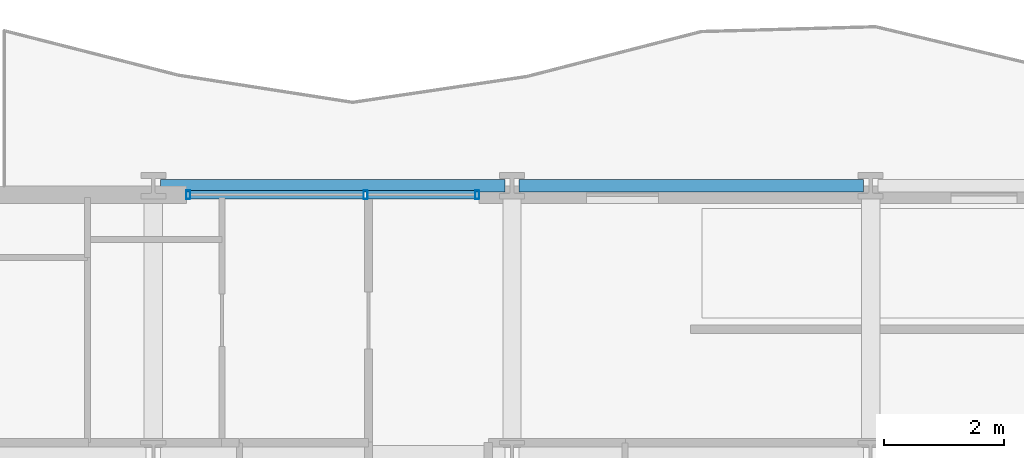
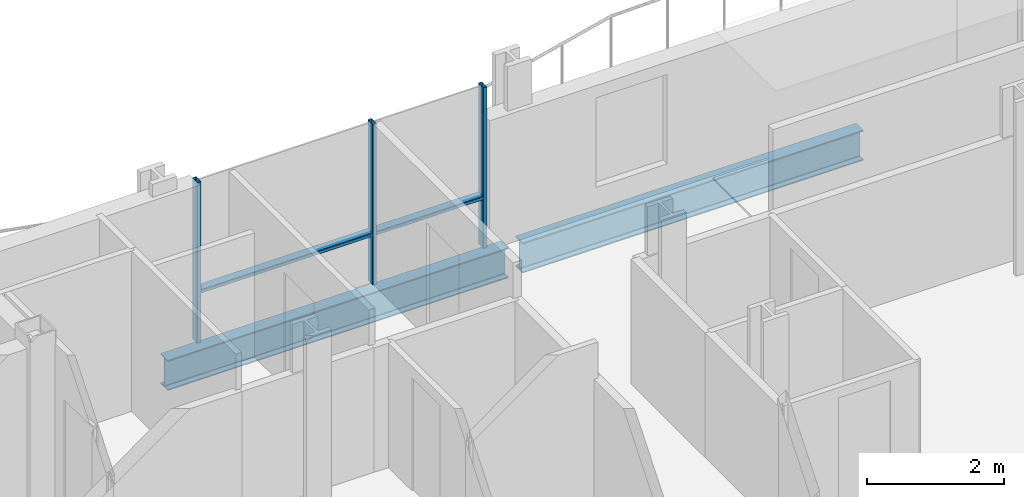
# One storey, part 21 of 41: 5 members, 2 beams, 1 element without a shape of its own.
"""IFC4 building model written with IfcOpenShell, lengths in metres."""

from ifc_helpers import new_model, si_unit, direction, frame, origin, origin_2d, place, context, subcontext, project, spatial, hollow_rectangle, i_section, extrude, material, layer, layer_set, material_profile, profile_set, type_object, element, aggregate, save


model = new_model("IFC4")

# Units and contexts
model_context = context("Model", 3, precision=1e-05, world=origin(), true_north=direction((0.0, 1.0)))
body_context = subcontext(model_context, "Body", "Model", "MODEL_VIEW")
ifc_project = project(units=[si_unit("LENGTHUNIT", "METRE"), si_unit("AREAUNIT", "SQUARE_METRE"), si_unit("VOLUMEUNIT", "CUBIC_METRE"), si_unit("PLANEANGLEUNIT", "RADIAN"), si_unit("MASSUNIT", "GRAM", prefix="KILO")], contexts=[model_context])

# Site, building, storey
site_placement = place(None, origin())
site = spatial("IfcSite", under=ifc_project, at=site_placement, CompositionType="ELEMENT")
building_placement = place(site_placement, origin())
building = spatial("IfcBuilding", under=site, at=building_placement, Name="Brevholm Reach", CompositionType="ELEMENT")
storey_placement = place(building_placement, frame((0.0, 0.0, 55.89990234375)))
storey = spatial("IfcBuildingStorey", under=building, at=storey_placement, Name="L15", CompositionType="ELEMENT", Elevation=55.89990234375)

# Beams
ifc_material_1 = material(Name="Structural Steel S355J2", Category="steel")
ifc_material_profile_1 = material_profile(ifc_material_1, i_section(OverallWidth=0.210693359375, OverallDepth=0.53955078125, WebThickness=0.01171875, FlangeThickness=0.018798828125, FilletRadius=0.0126953125, at=origin_2d()), Name="UKB 533x210x109")
ifc_profile_set_1 = profile_set([ifc_material_profile_1], Name="Structural Steel S355J2")
beam_type = type_object("IfcBeamType", Name="BM-SP539", PredefinedType="SPANDREL", material=ifc_profile_set_1)
for number, where, z_axis, x_axis, name in (
    (1, (6.1201171875, 31.0, -0.499755859375), (1.0, 0.0, 0.0), (0.0, 1.0, 0.0), "L15 SP-01B Framing Beam"),
    (2, (12.1201171875, 31.0, -0.499755859375), (1.0, 0.0, 0.0), (0.0, 1.0, 0.0), "L15 SP-01B Framing Beam"),
):
    element("IfcBeam", number, at=place(storey_placement, frame(where, z_axis=z_axis, x_axis=x_axis)), inside=storey, type_object=beam_type, Name=name, PredefinedType="SPANDREL", context=body_context, shape_type="SweptSolid", body=[
        extrude(i_section(OverallWidth=0.210693359375, OverallDepth=0.53955078125, WebThickness=0.01171875, FlangeThickness=0.018798828125, FilletRadius=0.0126953125, at=origin_2d()), origin(), (0.0, 0.0, 1.0), 5.759765625),
    ])

# Curtain wall, members
ifc_material_2 = material(Name="Dark Anodised Aluminium 6063-T6 and Solar-Control Glass", Category="aluminium")
ifc_layer = layer(ifc_material_2, 0.14990234375)
ifc_layer_set = layer_set([ifc_layer], Name="Dark Anodised Aluminium 6063-T6 and Solar-Control Glass")
curtain_wall_type = type_object("IfcCurtainWallType", Name="CW-01", PredefinedType="NOTDEFINED", material=ifc_layer_set)
curtain_wall_placement = place(storey_placement, origin())
curtain_wall = element("IfcCurtainWall", 3, at=curtain_wall_placement, inside=storey, type_object=curtain_wall_type, Name="L15 Curtain Wall CW-01", PredefinedType="NOTDEFINED")
ifc_material_3 = material(Name="Dark Anodised Aluminium 6063-T6", Category="aluminium")
ifc_material_profile_2 = material_profile(ifc_material_3, hollow_rectangle(XDim=0.06494140625, YDim=0.14990234375, WallThickness=0.0048828125, InnerFilletRadius=0.0048828125, OuterFilletRadius=0.010009765625, at=origin_2d()), Name="RHS 150x65x5")
ifc_profile_set_2 = profile_set([ifc_material_profile_2], Name="Dark Anodised Aluminium 6063-T6")
member_type_1 = type_object("IfcMemberType", Name="CWM-150", PredefinedType="MULLION", material=ifc_profile_set_2)
member_1_placement = place(storey_placement, frame((6.58251953125, 30.85009765625, 0.0), z_axis=(0.0, 0.0, 1.0), x_axis=(1.0, 0.0, 0.0)))
member_1 = element("IfcMember", 4, at=member_1_placement, type_object=member_type_1, Name="CM-150 Mullion 1", PredefinedType="MULLION", context=body_context, shape_type="SweptSolid", body=[
    extrude(hollow_rectangle(XDim=0.06494140625, YDim=0.14990234375, WallThickness=0.0048828125, InnerFilletRadius=0.0048828125, OuterFilletRadius=0.010009765625, at=origin_2d()), origin(), (0.0, 0.0, 1.0), 2.8701171875),
])
member_2_placement = place(storey_placement, frame((9.550048828125, 30.85009765625, 0.0), z_axis=(0.0, 0.0, 1.0), x_axis=(1.0, 0.0, 0.0)))
member_2 = element("IfcMember", 5, at=member_2_placement, type_object=member_type_1, Name="CM-150 Mullion 2", PredefinedType="MULLION", context=body_context, shape_type="SweptSolid", body=[
    extrude(hollow_rectangle(XDim=0.06494140625, YDim=0.14990234375, WallThickness=0.0048828125, InnerFilletRadius=0.0048828125, OuterFilletRadius=0.010009765625, at=origin_2d()), origin(), (0.0, 0.0, 1.0), 2.8701171875),
])
member_3_placement = place(storey_placement, frame((11.41748046875, 30.85009765625, 0.0), z_axis=(0.0, 0.0, 1.0), x_axis=(1.0, 0.0, 0.0)))
member_3 = element("IfcMember", 6, at=member_3_placement, type_object=member_type_1, Name="CM-150 Mullion 3", PredefinedType="MULLION", context=body_context, shape_type="SweptSolid", body=[
    extrude(hollow_rectangle(XDim=0.06494140625, YDim=0.14990234375, WallThickness=0.0048828125, InnerFilletRadius=0.0048828125, OuterFilletRadius=0.010009765625, at=origin_2d()), origin(), (0.0, 0.0, 1.0), 2.8701171875),
])
ifc_material_4 = material(Name="Dark Anodised Aluminium 6063-T6", Category="aluminium")
ifc_material_profile_3 = material_profile(ifc_material_4, hollow_rectangle(XDim=0.06494140625, YDim=0.14990234375, WallThickness=0.0048828125, InnerFilletRadius=0.0048828125, OuterFilletRadius=0.010009765625, at=origin_2d()), Name="RHS 150x65x5")
ifc_profile_set_3 = profile_set([ifc_material_profile_3], Name="Dark Anodised Aluminium 6063-T6")
member_type_2 = type_object("IfcMemberType", Name="CWT-150", PredefinedType="NOTDEFINED", material=ifc_profile_set_3)
member_4_placement = place(storey_placement, frame((6.614990234375, 30.85009765625, 0.900146484375), z_axis=(1.0, 0.0, 0.0), x_axis=(0.0, 0.0, 1.0)))
member_4 = element("IfcMember", 7, at=member_4_placement, type_object=member_type_2, Name="CT-150 Transom 1.1", ObjectType="TRANSOM", PredefinedType="USERDEFINED", context=body_context, shape_type="SweptSolid", body=[
    extrude(hollow_rectangle(XDim=0.06494140625, YDim=0.14990234375, WallThickness=0.0048828125, InnerFilletRadius=0.0048828125, OuterFilletRadius=0.010009765625, at=origin_2d()), origin(), (0.0, 0.0, 1.0), 2.902587890625),
])
member_5_placement = place(storey_placement, frame((9.58251953125, 30.85009765625, 0.900146484375), z_axis=(1.0, 0.0, 0.0), x_axis=(0.0, 0.0, 1.0)))
member_5 = element("IfcMember", 8, at=member_5_placement, type_object=member_type_2, Name="CT-150 Transom 2.1", ObjectType="TRANSOM", PredefinedType="USERDEFINED", context=body_context, shape_type="SweptSolid", body=[
    extrude(hollow_rectangle(XDim=0.06494140625, YDim=0.14990234375, WallThickness=0.0048828125, InnerFilletRadius=0.0048828125, OuterFilletRadius=0.010009765625, at=origin_2d()), origin(), (0.0, 0.0, 1.0), 1.802490234375),
])
aggregate(curtain_wall, [member_1, member_2, member_3, member_4, member_5])

save(model, "model.ifc")
